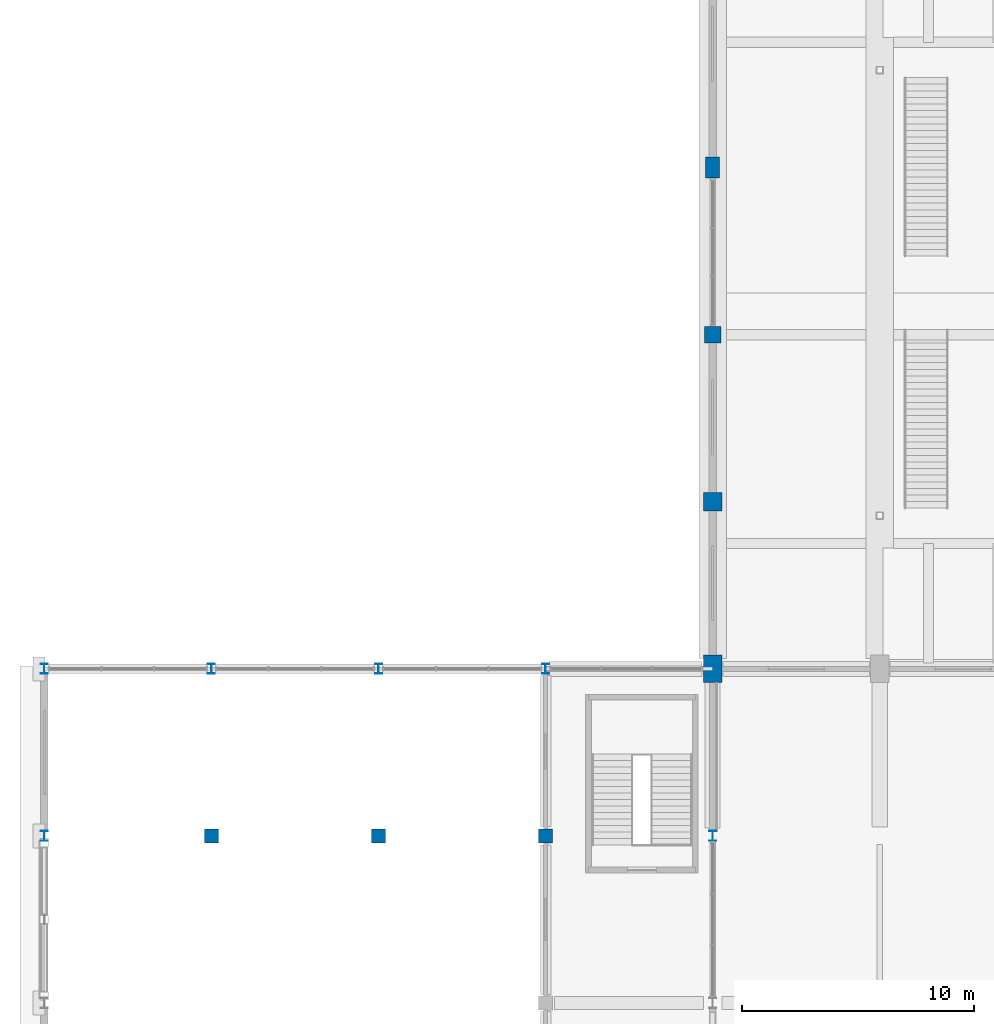
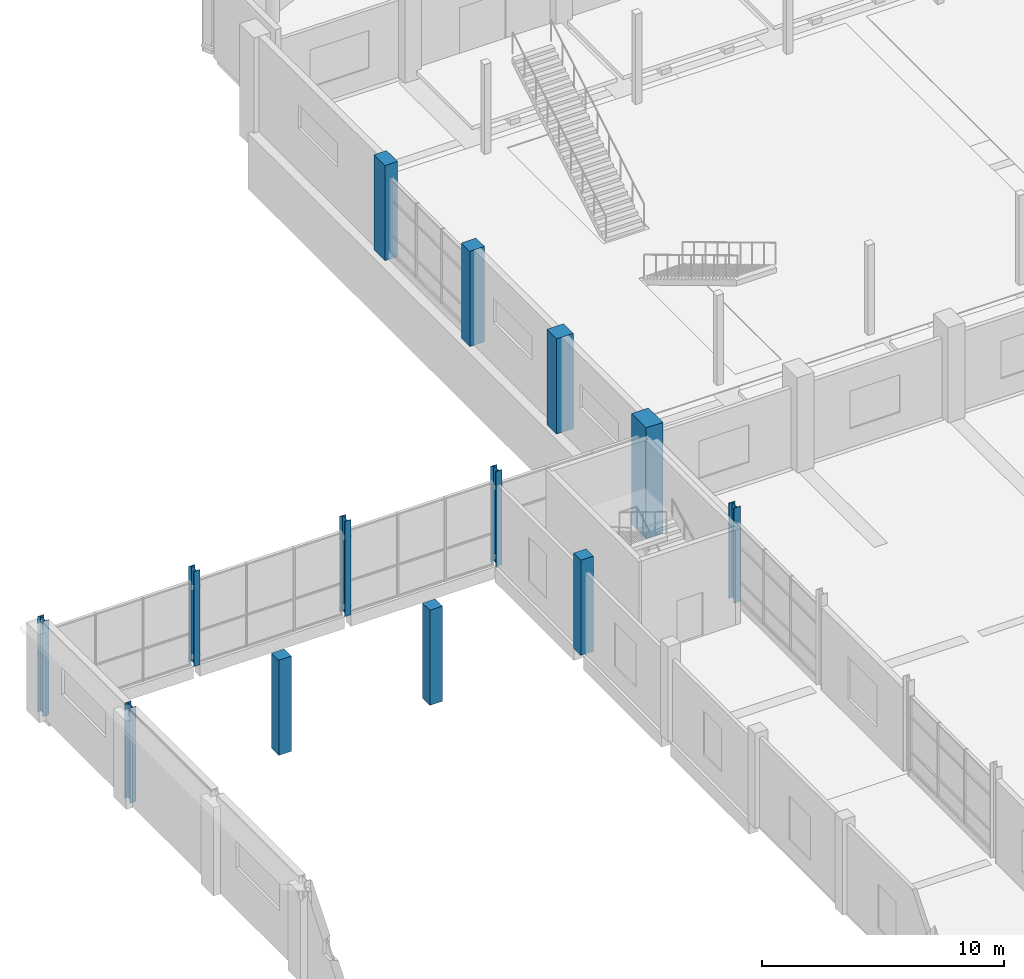
# One storey, part 7 of 82: 13 columns.
"""IFC4 building model written with IfcOpenShell, lengths in metres."""

from ifc_helpers import new_model, si_unit, direction, frame, origin, origin_2d, place, context, subcontext, project, spatial, rectangle, i_section, extrude, material, material_profile, profile_set, type_object, element, save


model = new_model("IFC4")

# Units and contexts
model_context = context("Model", 3, precision=1e-05, world=origin(), true_north=direction((0.0, 1.0)))
body_context = subcontext(model_context, "Body", "Model", "MODEL_VIEW")
ifc_project = project(units=[si_unit("LENGTHUNIT", "METRE"), si_unit("AREAUNIT", "SQUARE_METRE"), si_unit("VOLUMEUNIT", "CUBIC_METRE"), si_unit("PLANEANGLEUNIT", "RADIAN"), si_unit("MASSUNIT", "GRAM", prefix="KILO")], contexts=[model_context])

# Site, building, storey
site_placement = place(None, origin())
site = spatial("IfcSite", under=ifc_project, at=site_placement, CompositionType="ELEMENT")
building_placement = place(site_placement, origin())
building = spatial("IfcBuilding", under=site, at=building_placement, Name="Sardonyx Promenade Sports Hall", CompositionType="ELEMENT")
storey_placement = place(building_placement, frame((0.0, 0.0, 11.199951171875)))
storey = spatial("IfcBuildingStorey", under=building, at=storey_placement, Name="L02", CompositionType="ELEMENT", Elevation=11.199951171875)

# Columns
ifc_material_1 = material(Name="Steel S355JR", Category="steel")
ifc_material_profile_1 = material_profile(ifc_material_1, i_section(OverallWidth=0.300048828125, OverallDepth=0.43994140625, WebThickness=0.011474609375, FlangeThickness=0.02099609375, at=origin_2d()))
ifc_profile_set_1 = profile_set([ifc_material_profile_1], Name="Steel S355JR")
column_type_1 = type_object("IfcColumnType", Name="Col_Ext_HEA450", PredefinedType="COLUMN", material=ifc_profile_set_1)
for number, where, z_axis, x_axis, name in (
    (1, (0.0, 64.800048828125, 0.0), (0.0, 0.0, 1.0), (1.0, 0.0, 0.0), "Column CE10 L02 (0.0,64.8)"),
    (2, (0.0, 72.0, 0.0), (0.0, 0.0, 1.0), (1.0, 0.0, 0.0), "Column CE10 L02 (0.0,72.0)"),
    (3, (7.199951171875, 72.0, 0.0), (0.0, 0.0, 1.0), (1.0, 0.0, 0.0), "Column CE10 L02 (7.2,72.0)"),
    (4, (14.39990234375, 72.0, 0.0), (0.0, 0.0, 1.0), (1.0, 0.0, 0.0), "Column CE10 L02 (14.4,72.0)"),
    (5, (21.60009765625, 72.0, 0.0), (0.0, 0.0, 1.0), (1.0, 0.0, 0.0), "Column CE10 L02 (21.6,72.0)"),
    (6, (28.800048828125, 64.800048828125, 0.0), (0.0, 0.0, 1.0), (1.0, 0.0, 0.0), "Column CE10 L02 (28.8,64.8)"),
):
    element("IfcColumn", number, at=place(storey_placement, frame(where, z_axis=z_axis, x_axis=x_axis)), inside=storey, type_object=column_type_1, Name=name, PredefinedType="COLUMN", context=body_context, shape_type="SweptSolid", body=[
        extrude(i_section(OverallWidth=0.300048828125, OverallDepth=0.43994140625, WebThickness=0.011474609375, FlangeThickness=0.02099609375, at=origin_2d()), origin(), (0.0, 0.0, 1.0), 4.800048828125),
    ])
ifc_material_2 = material(Name="Concrete C40/50", Category="concrete")
ifc_material_profile_2 = material_profile(ifc_material_2, rectangle(XDim=0.60009765625, YDim=0.89990234375, at=origin_2d()))
ifc_profile_set_2 = profile_set([ifc_material_profile_2], Name="Concrete C40/50")
column_type_2 = type_object("IfcColumnType", Name="Col_Ext_RC600x900", PredefinedType="COLUMN", material=ifc_profile_set_2)
column_1_placement = place(storey_placement, frame((28.800048828125, 93.60009765625, 0.0), z_axis=(0.0, 0.0, 1.0), x_axis=(1.0, 0.0, 0.0)))
element("IfcColumn", 7, at=column_1_placement, inside=storey, type_object=column_type_2, Name="Column CE12 L02 (28.8,93.6)", PredefinedType="COLUMN", context=body_context, shape_type="SweptSolid", body=[
    extrude(rectangle(XDim=0.60009765625, YDim=0.89990234375, at=origin_2d()), origin(), (0.0, 0.0, 1.0), 4.800048828125),
])
ifc_material_3 = material(Name="Concrete C40/50", Category="concrete")
ifc_material_profile_3 = material_profile(ifc_material_3, rectangle(XDim=0.699951171875, YDim=0.699951171875, at=origin_2d()))
ifc_profile_set_3 = profile_set([ifc_material_profile_3], Name="Concrete C40/50")
column_type_3 = type_object("IfcColumnType", Name="Col_Ext_RC700", PredefinedType="COLUMN", material=ifc_profile_set_3)
column_2_placement = place(storey_placement, frame((28.800048828125, 86.39990234375, 0.0), z_axis=(0.0, 0.0, 1.0), x_axis=(1.0, 0.0, 0.0)))
element("IfcColumn", 8, at=column_2_placement, inside=storey, type_object=column_type_3, Name="Column CE05 L02 (28.8,86.4)", PredefinedType="COLUMN", context=body_context, shape_type="SweptSolid", body=[
    extrude(rectangle(XDim=0.699951171875, YDim=0.699951171875, at=origin_2d()), origin(), (0.0, 0.0, 1.0), 4.800048828125),
])
ifc_material_4 = material(Name="Concrete C50/60", Category="concrete")
ifc_material_profile_4 = material_profile(ifc_material_4, rectangle(XDim=0.800048828125, YDim=0.800048828125, at=origin_2d()))
ifc_profile_set_4 = profile_set([ifc_material_profile_4], Name="Concrete C50/60")
column_type_4 = type_object("IfcColumnType", Name="Col_Ext_RC800", PredefinedType="COLUMN", material=ifc_profile_set_4)
column_3_placement = place(storey_placement, frame((28.800048828125, 79.199951171875, 0.0), z_axis=(0.0, 0.0, 1.0), x_axis=(1.0, 0.0, 0.0)))
element("IfcColumn", 9, at=column_3_placement, inside=storey, type_object=column_type_4, Name="Column CE13 L02 (28.8,79.2)", PredefinedType="COLUMN", context=body_context, shape_type="SweptSolid", body=[
    extrude(rectangle(XDim=0.800048828125, YDim=0.800048828125, at=origin_2d()), origin(), (0.0, 0.0, 1.0), 4.800048828125),
])
ifc_material_5 = material(Name="Concrete C50/60", Category="concrete")
ifc_material_profile_5 = material_profile(ifc_material_5, rectangle(XDim=0.800048828125, YDim=1.199951171875, at=origin_2d()))
ifc_profile_set_5 = profile_set([ifc_material_profile_5], Name="Concrete C50/60")
column_type_5 = type_object("IfcColumnType", Name="Col_Ext_RC800x1200", PredefinedType="COLUMN", material=ifc_profile_set_5)
column_4_placement = place(storey_placement, frame((28.800048828125, 72.0, -0.800048828125), z_axis=(0.0, 0.0, 1.0), x_axis=(1.0, 0.0, 0.0)))
element("IfcColumn", 10, at=column_4_placement, inside=storey, type_object=column_type_5, Name="Column CE08 L02 (28.8,72.0)", PredefinedType="COLUMN", context=body_context, shape_type="SweptSolid", body=[
    extrude(rectangle(XDim=0.800048828125, YDim=1.199951171875, at=origin_2d()), origin(), (0.0, 0.0, 1.0), 5.60009765625),
])
ifc_material_6 = material(Name="Concrete C40/50", Category="concrete")
ifc_material_profile_6 = material_profile(ifc_material_6, rectangle(XDim=0.60009765625, YDim=0.60009765625, at=origin_2d()))
ifc_profile_set_6 = profile_set([ifc_material_profile_6], Name="Concrete C40/50")
column_type_6 = type_object("IfcColumnType", Name="Col_Int_RC600", PredefinedType="COLUMN", material=ifc_profile_set_6)
for number, where, z_axis, x_axis, name in (
    (11, (7.199951171875, 64.800048828125, 0.0), (0.0, 0.0, 1.0), (1.0, 0.0, 0.0), "Column CI02 L02 (7.2,64.8)"),
    (12, (14.39990234375, 64.800048828125, 0.0), (0.0, 0.0, 1.0), (1.0, 0.0, 0.0), "Column CI02 L02 (14.4,64.8)"),
    (13, (21.60009765625, 64.800048828125, 0.0), (0.0, 0.0, 1.0), (1.0, 0.0, 0.0), "Column CI02 L02 (21.6,64.8)"),
):
    element("IfcColumn", number, at=place(storey_placement, frame(where, z_axis=z_axis, x_axis=x_axis)), inside=storey, type_object=column_type_6, Name=name, PredefinedType="COLUMN", context=body_context, shape_type="SweptSolid", body=[
        extrude(rectangle(XDim=0.60009765625, YDim=0.60009765625, at=origin_2d()), origin(), (0.0, 0.0, 1.0), 4.800048828125),
    ])

save(model, "model.ifc")
